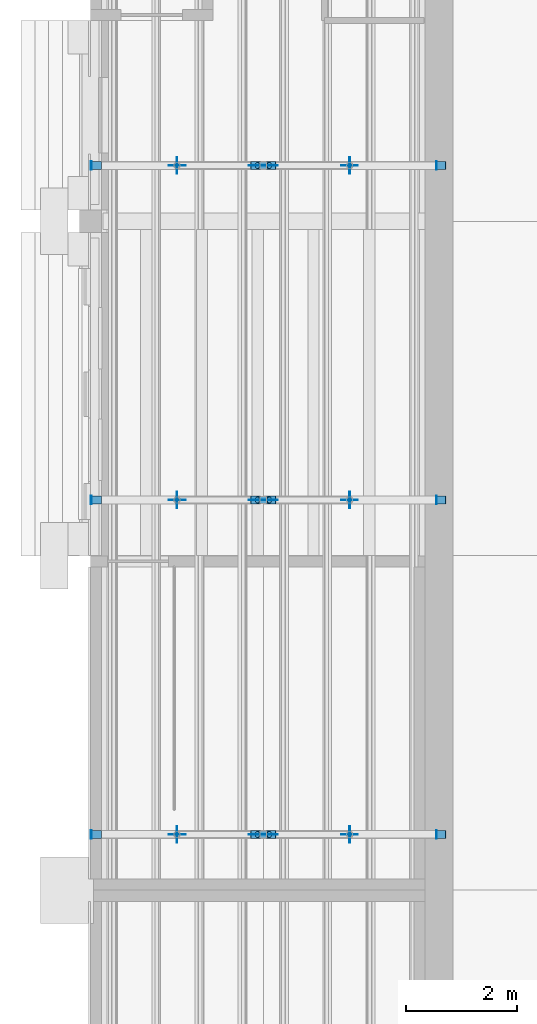
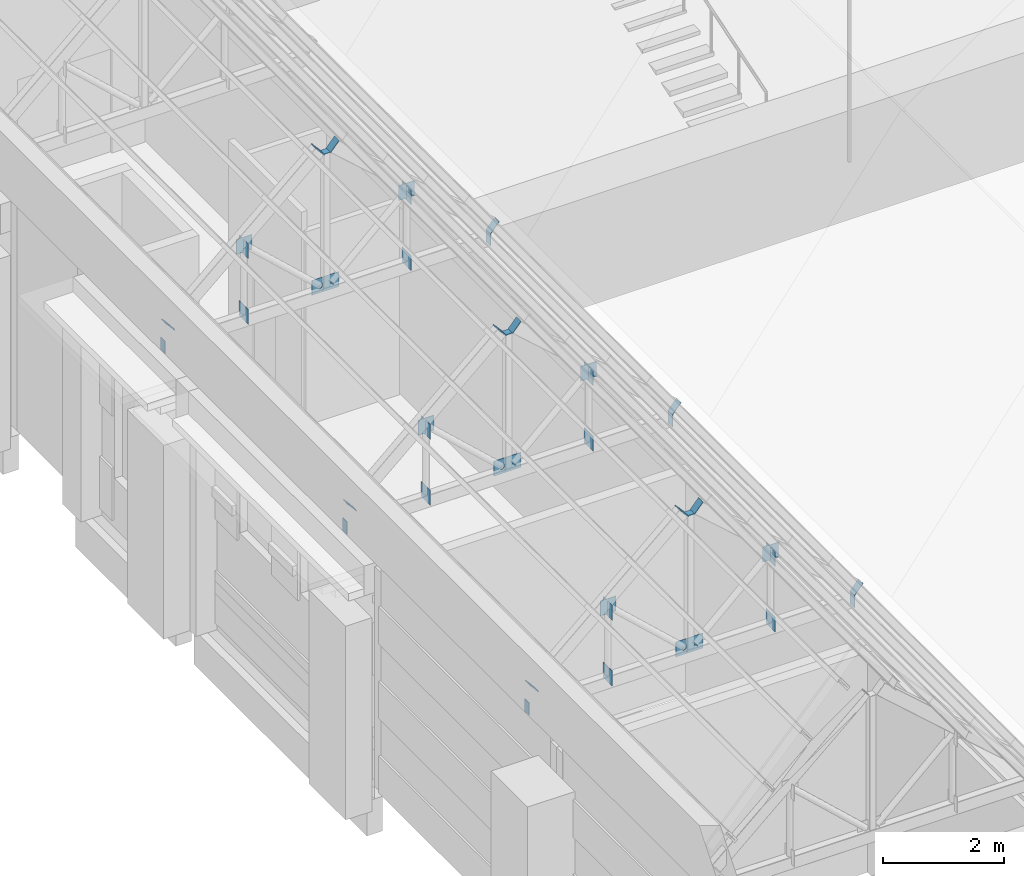
# One storey, part 103 of 118: 51 discrete accessories.
"""IFC4 building model written with IfcOpenShell, lengths in metres."""

from ifc_helpers import new_model, si_unit, direction, frame, origin, origin_2d, place, context, subcontext, project, spatial, rectangle, circle, extrude, material, material_profile, profile_set, type_object, element, save


model = new_model("IFC4")

# Units and contexts
model_context = context("Model", 3, precision=1e-05, world=origin(), true_north=direction((0.0, 1.0)))
body_context = subcontext(model_context, "Body", "Model", "MODEL_VIEW")
ifc_project = project(units=[si_unit("LENGTHUNIT", "METRE"), si_unit("AREAUNIT", "SQUARE_METRE"), si_unit("VOLUMEUNIT", "CUBIC_METRE"), si_unit("PLANEANGLEUNIT", "RADIAN"), si_unit("MASSUNIT", "GRAM", prefix="KILO")], contexts=[model_context])

# Site, building, storey
site_placement = place(None, origin())
site = spatial("IfcSite", under=ifc_project, at=site_placement, CompositionType="ELEMENT")
building_placement = place(site_placement, origin())
building = spatial("IfcBuilding", under=site, at=building_placement, Name="Saffron Lane Theatres", CompositionType="ELEMENT")
storey_placement = place(building_placement, frame((0.0, 0.0, 16.5)))
storey = spatial("IfcBuildingStorey", under=building, at=storey_placement, Name="L03", CompositionType="ELEMENT", Elevation=16.5)

# Discrete accessories
ifc_material_1 = material(Name="Steel Grade 350", Category="steel")
ifc_material_profile_1 = material_profile(ifc_material_1, rectangle(XDim=0.300048828125, YDim=0.300048828125, at=origin_2d()))
ifc_profile_set_1 = profile_set([ifc_material_profile_1], Name="Steel Grade 350")
discrete_accessory_type_1 = type_object("IfcDiscreteAccessoryType", Name="ST-GUSSET CONNECTION PLATE", PredefinedType="BRACKET", material=ifc_profile_set_1)
for number, where, z_axis, x_axis, name in (
    (1, (13.544921875, 67.0, 4.75), (1.0, 0.0, 0.0), (0.0, 1.0, 0.0), "GB233"),
    (2, (13.544921875, 67.0, 6.073486328125), (1.0, 0.0, 0.0), (0.0, 1.0, 0.0), "GB234"),
    (3, (16.64501953125, 67.0, 4.75), (1.0, 0.0, 0.0), (0.0, 1.0, 0.0), "GB235"),
    (4, (16.64501953125, 67.0, 6.073486328125), (1.0, 0.0, 0.0), (0.0, 1.0, 0.0), "GB236"),
):
    element("IfcDiscreteAccessory", number, at=place(storey_placement, frame(where, z_axis=z_axis, x_axis=x_axis)), inside=storey, type_object=discrete_accessory_type_1, Name=name, PredefinedType="BRACKET", context=body_context, shape_type="SweptSolid", body=[
        extrude(rectangle(XDim=0.300048828125, YDim=0.300048828125, at=origin_2d()), origin(), (0.0, 0.0, 1.0), 0.010009765625),
    ])
for number, where, z_axis, x_axis, name in (
    (5, (14.991943359375, 66.9951171875, 4.7919921875), (0.0, 1.0, 0.0), (-1.0, 0.0, 0.0), "GB237"),
    (6, (13.55419921875, 66.9951171875, 6.120361328125), (0.0, 1.0, 0.0), (-1.0, 0.0, 0.0), "GB238"),
    (7, (15.2080078125, 66.9951171875, 4.7919921875), (0.0, 1.0, 0.0), (-1.0, 0.0, 0.0), "GB239"),
    (8, (16.645751953125, 66.9951171875, 6.120361328125), (0.0, 1.0, 0.0), (-1.0, 0.0, 0.0), "GB240"),
):
    element("IfcDiscreteAccessory", number, at=place(storey_placement, frame(where, z_axis=z_axis, x_axis=x_axis)), inside=storey, type_object=discrete_accessory_type_1, Name=name, PredefinedType="BRACKET", context=body_context, shape_type="SweptSolid", body=[
        extrude(rectangle(XDim=0.300048828125, YDim=0.300048828125, at=origin_2d()), origin(), (0.0, 0.0, 1.0), 0.009765625),
    ])
for number, where, z_axis, x_axis, name in (
    (9, (13.544921875, 73.0, 4.75), (1.0, 0.0, 0.0), (0.0, 1.0, 0.0), "GB241"),
    (10, (13.544921875, 73.0, 6.073486328125), (1.0, 0.0, 0.0), (0.0, 1.0, 0.0), "GB242"),
    (11, (16.64501953125, 73.0, 4.75), (1.0, 0.0, 0.0), (0.0, 1.0, 0.0), "GB243"),
    (12, (16.64501953125, 73.0, 6.073486328125), (1.0, 0.0, 0.0), (0.0, 1.0, 0.0), "GB244"),
):
    element("IfcDiscreteAccessory", number, at=place(storey_placement, frame(where, z_axis=z_axis, x_axis=x_axis)), inside=storey, type_object=discrete_accessory_type_1, Name=name, PredefinedType="BRACKET", context=body_context, shape_type="SweptSolid", body=[
        extrude(rectangle(XDim=0.300048828125, YDim=0.300048828125, at=origin_2d()), origin(), (0.0, 0.0, 1.0), 0.010009765625),
    ])
for number, where, z_axis, x_axis, name in (
    (13, (14.991943359375, 72.9951171875, 4.7919921875), (0.0, 1.0, 0.0), (-1.0, 0.0, 0.0), "GB245"),
    (14, (13.55419921875, 72.9951171875, 6.120361328125), (0.0, 1.0, 0.0), (-1.0, 0.0, 0.0), "GB246"),
    (15, (15.2080078125, 72.9951171875, 4.7919921875), (0.0, 1.0, 0.0), (-1.0, 0.0, 0.0), "GB247"),
    (16, (16.645751953125, 72.9951171875, 6.120361328125), (0.0, 1.0, 0.0), (-1.0, 0.0, 0.0), "GB248"),
):
    element("IfcDiscreteAccessory", number, at=place(storey_placement, frame(where, z_axis=z_axis, x_axis=x_axis)), inside=storey, type_object=discrete_accessory_type_1, Name=name, PredefinedType="BRACKET", context=body_context, shape_type="SweptSolid", body=[
        extrude(rectangle(XDim=0.300048828125, YDim=0.300048828125, at=origin_2d()), origin(), (0.0, 0.0, 1.0), 0.009765625),
    ])
for number, where, z_axis, x_axis, name in (
    (17, (13.544921875, 79.0, 4.75), (1.0, 0.0, 0.0), (0.0, 1.0, 0.0), "GB249"),
    (18, (13.544921875, 79.0, 6.073486328125), (1.0, 0.0, 0.0), (0.0, 1.0, 0.0), "GB250"),
    (19, (16.64501953125, 79.0, 4.75), (1.0, 0.0, 0.0), (0.0, 1.0, 0.0), "GB251"),
    (20, (16.64501953125, 79.0, 6.073486328125), (1.0, 0.0, 0.0), (0.0, 1.0, 0.0), "GB252"),
):
    element("IfcDiscreteAccessory", number, at=place(storey_placement, frame(where, z_axis=z_axis, x_axis=x_axis)), inside=storey, type_object=discrete_accessory_type_1, Name=name, PredefinedType="BRACKET", context=body_context, shape_type="SweptSolid", body=[
        extrude(rectangle(XDim=0.300048828125, YDim=0.300048828125, at=origin_2d()), origin(), (0.0, 0.0, 1.0), 0.010009765625),
    ])
for number, where, z_axis, x_axis, name in (
    (21, (14.991943359375, 78.9951171875, 4.7919921875), (0.0, 1.0, 0.0), (-1.0, 0.0, 0.0), "GB253"),
    (22, (13.55419921875, 78.9951171875, 6.120361328125), (0.0, 1.0, 0.0), (-1.0, 0.0, 0.0), "GB254"),
    (23, (15.2080078125, 78.9951171875, 4.7919921875), (0.0, 1.0, 0.0), (-1.0, 0.0, 0.0), "GB255"),
    (24, (16.645751953125, 78.9951171875, 6.120361328125), (0.0, 1.0, 0.0), (-1.0, 0.0, 0.0), "GB256"),
):
    element("IfcDiscreteAccessory", number, at=place(storey_placement, frame(where, z_axis=z_axis, x_axis=x_axis)), inside=storey, type_object=discrete_accessory_type_1, Name=name, PredefinedType="BRACKET", context=body_context, shape_type="SweptSolid", body=[
        extrude(rectangle(XDim=0.300048828125, YDim=0.300048828125, at=origin_2d()), origin(), (0.0, 0.0, 1.0), 0.009765625),
    ])
ifc_material_2 = material(Name="Steel Grade 350", Category="steel")
ifc_material_profile_2 = material_profile(ifc_material_2, circle(Radius=0.05712890625, at=origin_2d()))
ifc_profile_set_2 = profile_set([ifc_material_profile_2], Name="Steel Grade 350")
discrete_accessory_type_2 = type_object("IfcDiscreteAccessoryType", Name="ST-STEEL END CAP 114.3x6.0 CHS", PredefinedType="ANCHORPLATE", material=ifc_profile_set_2)
discrete_accessory_1_placement = place(storey_placement, frame((15.0009765625, 67.0, 4.783935546875), z_axis=(-0.746295434469, 0.0, 0.665614846958), x_axis=(0.0, -1.0, 0.0)))
element("IfcDiscreteAccessory", 25, at=discrete_accessory_1_placement, inside=storey, type_object=discrete_accessory_type_2, Name="EC354", PredefinedType="ANCHORPLATE", context=body_context, shape_type="SweptSolid", body=[
    extrude(circle(Radius=0.05712890625, at=origin_2d()), origin(), (0.0, 0.0, 1.0), 0.01220703125),
])
discrete_accessory_2_placement = place(storey_placement, frame((15.19921875, 67.0, 4.783935546875), z_axis=(0.737154140201, 0.0, 0.675724628517), x_axis=(0.0, 1.0, 0.0)))
element("IfcDiscreteAccessory", 26, at=discrete_accessory_2_placement, inside=storey, type_object=discrete_accessory_type_2, Name="EC355", PredefinedType="ANCHORPLATE", context=body_context, shape_type="SweptSolid", body=[
    extrude(circle(Radius=0.05712890625, at=origin_2d()), origin(), (0.0, 0.0, 1.0), 0.011962890625),
])
discrete_accessory_3_placement = place(storey_placement, frame((15.0009765625, 73.0, 4.783935546875), z_axis=(-0.746295434469, 0.0, 0.665614846958), x_axis=(0.0, -1.0, 0.0)))
element("IfcDiscreteAccessory", 27, at=discrete_accessory_3_placement, inside=storey, type_object=discrete_accessory_type_2, Name="EC363", PredefinedType="ANCHORPLATE", context=body_context, shape_type="SweptSolid", body=[
    extrude(circle(Radius=0.05712890625, at=origin_2d()), origin(), (0.0, 0.0, 1.0), 0.01220703125),
])
discrete_accessory_4_placement = place(storey_placement, frame((15.19921875, 73.0, 4.783935546875), z_axis=(0.737154140201, 0.0, 0.675724628517), x_axis=(0.0, 1.0, 0.0)))
element("IfcDiscreteAccessory", 28, at=discrete_accessory_4_placement, inside=storey, type_object=discrete_accessory_type_2, Name="EC364", PredefinedType="ANCHORPLATE", context=body_context, shape_type="SweptSolid", body=[
    extrude(circle(Radius=0.05712890625, at=origin_2d()), origin(), (0.0, 0.0, 1.0), 0.011962890625),
])
discrete_accessory_5_placement = place(storey_placement, frame((15.0009765625, 79.0, 4.783935546875), z_axis=(-0.746295434469, 0.0, 0.665614846958), x_axis=(0.0, -1.0, 0.0)))
element("IfcDiscreteAccessory", 29, at=discrete_accessory_5_placement, inside=storey, type_object=discrete_accessory_type_2, Name="EC372", PredefinedType="ANCHORPLATE", context=body_context, shape_type="SweptSolid", body=[
    extrude(circle(Radius=0.05712890625, at=origin_2d()), origin(), (0.0, 0.0, 1.0), 0.01220703125),
])
discrete_accessory_6_placement = place(storey_placement, frame((15.19921875, 79.0, 4.783935546875), z_axis=(0.737154140201, 0.0, 0.675724628517), x_axis=(0.0, 1.0, 0.0)))
element("IfcDiscreteAccessory", 30, at=discrete_accessory_6_placement, inside=storey, type_object=discrete_accessory_type_2, Name="EC373", PredefinedType="ANCHORPLATE", context=body_context, shape_type="SweptSolid", body=[
    extrude(circle(Radius=0.05712890625, at=origin_2d()), origin(), (0.0, 0.0, 1.0), 0.011962890625),
])
ifc_material_3 = material(Name="Steel Grade 350", Category="steel")
ifc_material_profile_3 = material_profile(ifc_material_3, rectangle(XDim=0.125, YDim=0.125, at=origin_2d()))
ifc_profile_set_3 = profile_set([ifc_material_profile_3], Name="Steel Grade 350")
discrete_accessory_type_3 = type_object("IfcDiscreteAccessoryType", Name="ST-STEEL END CAP 125x125x6 SHS", PredefinedType="ANCHORPLATE", material=ifc_profile_set_3)
for number, where, z_axis, x_axis, name in (
    (31, (15.10009765625, 67.0, 7.44287109375), (0.0, 0.0, 1.0), (1.0, 0.0, 0.0), "EC353"),
    (32, (15.10009765625, 73.0, 7.44287109375), (0.0, 0.0, 1.0), (1.0, 0.0, 0.0), "EC362"),
    (33, (15.10009765625, 79.0, 7.44287109375), (0.0, 0.0, 1.0), (1.0, 0.0, 0.0), "EC371"),
):
    element("IfcDiscreteAccessory", number, at=place(storey_placement, frame(where, z_axis=z_axis, x_axis=x_axis)), inside=storey, type_object=discrete_accessory_type_3, Name=name, PredefinedType="ANCHORPLATE", context=body_context, shape_type="SweptSolid", body=[
        extrude(rectangle(XDim=0.125, YDim=0.125, at=origin_2d()), origin(), (0.0, 0.0, 1.0), 0.01220703125),
    ])
ifc_material_4 = material(Name="Steel Grade 350", Category="steel")
ifc_material_profile_4 = material_profile(ifc_material_4, rectangle(XDim=0.14990234375, YDim=0.25, at=origin_2d()))
ifc_profile_set_4 = profile_set([ifc_material_profile_4], Name="Steel Grade 350")
discrete_accessory_type_4 = type_object("IfcDiscreteAccessoryType", Name="ST-STEEL END CAP 250x150x9 RHS", PredefinedType="ANCHORPLATE", material=ifc_profile_set_4)
for number, where, z_axis, x_axis, name in (
    (34, (12.008056640625, 67.0, 4.625), (1.0, 0.0, 0.0), (0.0, 1.0, 0.0), "EC347"),
    (35, (18.199951171875, 67.0, 4.625), (1.0, 0.0, 0.0), (0.0, 1.0, 0.0), "EC348"),
    (36, (12.10400390625, 67.0, 5.00927734375), (0.756363172452, 0.0, 0.654151932932), (0.0, 1.0, 0.0), "EC349"),
    (37, (14.95458984375, 67.0, 7.53662109375), (0.756363172452, 0.0, 0.654151932932), (0.0, 1.0, 0.0), "EC350"),
    (38, (18.2919921875, 67.0, 4.835693359375), (-0.756363172452, 0.0, 0.654151932932), (0.0, -1.0, 0.0), "EC351"),
    (39, (15.245361328125, 67.0, 7.53662109375), (-0.756363172452, 0.0, 0.654151932932), (0.0, -1.0, 0.0), "EC352"),
    (40, (12.008056640625, 73.0, 4.625), (1.0, 0.0, 0.0), (0.0, 1.0, 0.0), "EC356"),
    (41, (18.199951171875, 73.0, 4.625), (1.0, 0.0, 0.0), (0.0, 1.0, 0.0), "EC357"),
    (42, (12.10400390625, 73.0, 5.00927734375), (0.756363172452, 0.0, 0.654151932932), (0.0, 1.0, 0.0), "EC358"),
    (43, (14.95458984375, 73.0, 7.53662109375), (0.756363172452, 0.0, 0.654151932932), (0.0, 1.0, 0.0), "EC359"),
    (44, (18.2919921875, 73.0, 4.835693359375), (-0.756363172452, 0.0, 0.654151932932), (0.0, -1.0, 0.0), "EC360"),
    (45, (15.245361328125, 73.0, 7.53662109375), (-0.756363172452, 0.0, 0.654151932932), (0.0, -1.0, 0.0), "EC361"),
    (46, (12.008056640625, 79.0, 4.625), (1.0, 0.0, 0.0), (0.0, 1.0, 0.0), "EC365"),
    (47, (18.199951171875, 79.0, 4.625), (1.0, 0.0, 0.0), (0.0, 1.0, 0.0), "EC366"),
    (48, (12.10400390625, 79.0, 5.00927734375), (0.756363172452, 0.0, 0.654151932932), (0.0, 1.0, 0.0), "EC367"),
    (49, (14.95458984375, 79.0, 7.53662109375), (0.756363172452, 0.0, 0.654151932932), (0.0, 1.0, 0.0), "EC368"),
    (50, (18.2919921875, 79.0, 4.835693359375), (-0.756363172452, 0.0, 0.654151932932), (0.0, -1.0, 0.0), "EC369"),
    (51, (15.245361328125, 79.0, 7.53662109375), (-0.756363172452, 0.0, 0.654151932932), (0.0, -1.0, 0.0), "EC370"),
):
    element("IfcDiscreteAccessory", number, at=place(storey_placement, frame(where, z_axis=z_axis, x_axis=x_axis)), inside=storey, type_object=discrete_accessory_type_4, Name=name, PredefinedType="ANCHORPLATE", context=body_context, shape_type="SweptSolid", body=[
        extrude(rectangle(XDim=0.14990234375, YDim=0.25, at=origin_2d()), origin(), (0.0, 0.0, 1.0), 0.011962890625),
    ])

save(model, "model.ifc")
